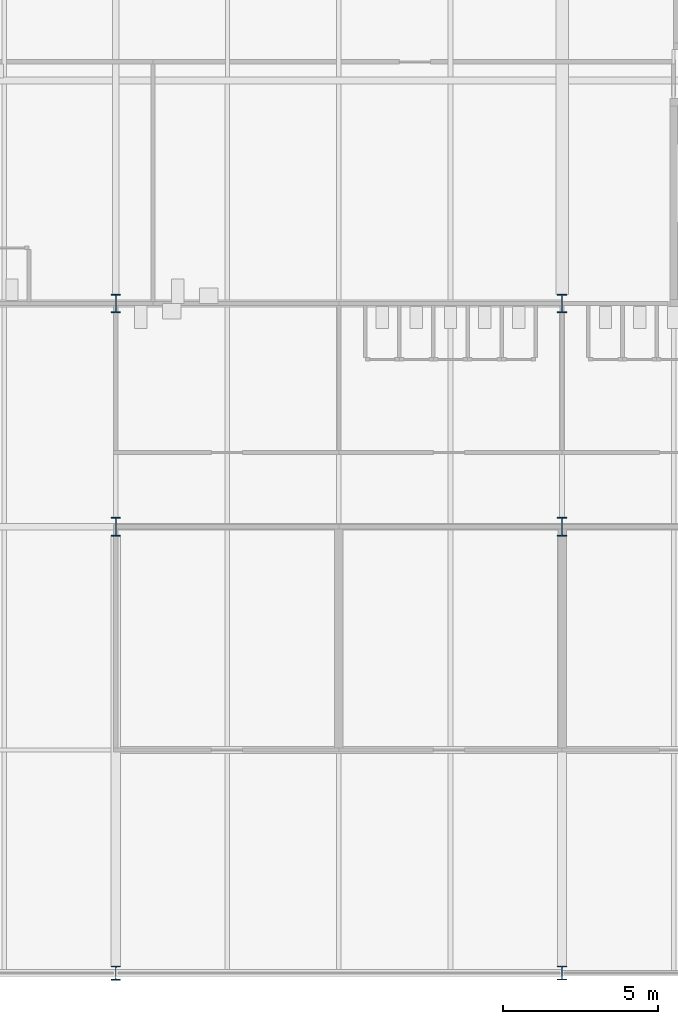
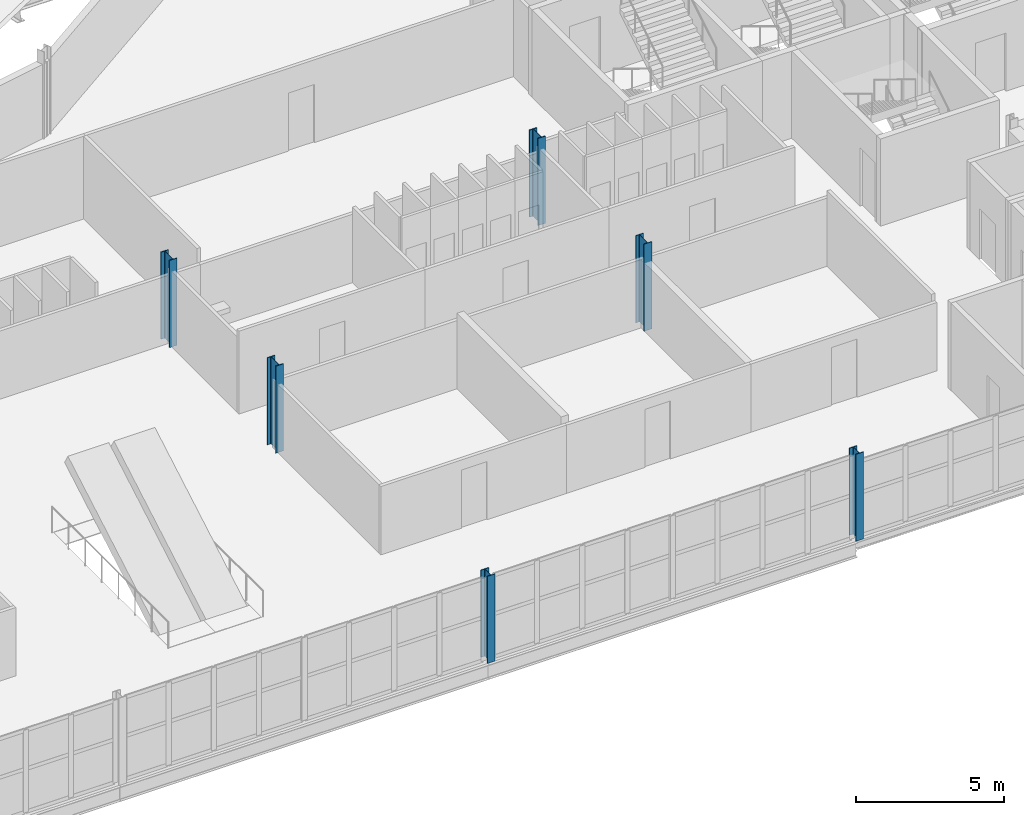
# One storey, part 2 of 124: 6 columns.
"""IFC4 building model written with IfcOpenShell, lengths in metres."""

from ifc_helpers import new_model, si_unit, direction, frame, origin, origin_2d, place, context, subcontext, project, spatial, i_section, extrude, material, material_profile, profile_set, type_object, element, save


model = new_model("IFC4")

# Units and contexts
model_context = context("Model", 3, precision=1e-05, world=origin(), true_north=direction((0.0, 1.0)))
body_context = subcontext(model_context, "Body", "Model", "MODEL_VIEW")
ifc_project = project(units=[si_unit("LENGTHUNIT", "METRE"), si_unit("AREAUNIT", "SQUARE_METRE"), si_unit("VOLUMEUNIT", "CUBIC_METRE"), si_unit("PLANEANGLEUNIT", "RADIAN"), si_unit("MASSUNIT", "GRAM", prefix="KILO")], contexts=[model_context])

# Site, building, storey
site_placement = place(None, origin())
site = spatial("IfcSite", under=ifc_project, at=site_placement, CompositionType="ELEMENT")
building_placement = place(site_placement, origin())
building = spatial("IfcBuilding", under=site, at=building_placement, Name="Kupolbacken Congress Centre", CompositionType="ELEMENT")
storey_placement = place(building_placement, frame((0.0, 0.0, 10.800048828125)))
storey = spatial("IfcBuildingStorey", under=building, at=storey_placement, Name="L03", CompositionType="ELEMENT", Elevation=10.800048828125)

# Columns
ifc_material_1 = material(Name="Steel S355", Category="steel")
ifc_material_profile_1 = material_profile(ifc_material_1, i_section(OverallWidth=0.300048828125, OverallDepth=0.449951171875, WebThickness=0.013916015625, FlangeThickness=0.02587890625, FilletRadius=0.027099609375, at=origin_2d()), Name="HEB 450")
ifc_profile_set_1 = profile_set([ifc_material_profile_1], Name="Steel S355")
column_type_1 = type_object("IfcColumnType", Name="C03 column HEB 450", PredefinedType="COLUMN", material=ifc_profile_set_1)
for number, where, z_axis, x_axis, name in (
    (1, (50.39990234375, 28.800048828125, 0.0), (0.0, 0.0, 1.0), (1.0, 0.0, 0.0), "S/col/C-F-8E/L03"),
    (2, (64.800048828125, 28.800048828125, 0.0), (0.0, 0.0, 1.0), (1.0, 0.0, 0.0), "S/col/C-F-10E/L03"),
):
    element("IfcColumn", number, at=place(storey_placement, frame(where, z_axis=z_axis, x_axis=x_axis)), inside=storey, type_object=column_type_1, Name=name, PredefinedType="COLUMN", context=body_context, shape_type="SweptSolid", body=[
        extrude(i_section(OverallWidth=0.300048828125, OverallDepth=0.449951171875, WebThickness=0.013916015625, FlangeThickness=0.02587890625, FilletRadius=0.027099609375, at=origin_2d()), origin(), (0.0, 0.0, 1.0), 3.599853515625),
    ])
ifc_material_2 = material(Name="Steel S355", Category="steel")
ifc_material_profile_2 = material_profile(ifc_material_2, i_section(OverallWidth=0.300048828125, OverallDepth=0.60009765625, WebThickness=0.015380859375, FlangeThickness=0.030029296875, FilletRadius=0.027099609375, at=origin_2d()), Name="HEB 600")
ifc_profile_set_2 = profile_set([ifc_material_profile_2], Name="Steel S355")
column_type_2 = type_object("IfcColumnType", Name="C05 column HEB 600", PredefinedType="COLUMN", material=ifc_profile_set_2)
for number, where, z_axis, x_axis, name in (
    (3, (50.39990234375, 43.199951171875, 0.0), (0.0, 0.0, 1.0), (1.0, 0.0, 0.0), "S/col/C-F-8G/L03"),
    (4, (50.39990234375, 50.39990234375, 0.0), (0.0, 0.0, 1.0), (1.0, 0.0, 0.0), "S/col/C-F-8H/L03"),
    (5, (64.800048828125, 43.199951171875, 0.0), (0.0, 0.0, 1.0), (1.0, 0.0, 0.0), "S/col/C-F-10G/L03"),
    (6, (64.800048828125, 50.39990234375, 0.0), (0.0, 0.0, 1.0), (1.0, 0.0, 0.0), "S/col/C-F-10H/L03"),
):
    element("IfcColumn", number, at=place(storey_placement, frame(where, z_axis=z_axis, x_axis=x_axis)), inside=storey, type_object=column_type_2, Name=name, PredefinedType="COLUMN", context=body_context, shape_type="SweptSolid", body=[
        extrude(i_section(OverallWidth=0.300048828125, OverallDepth=0.60009765625, WebThickness=0.015380859375, FlangeThickness=0.030029296875, FilletRadius=0.027099609375, at=origin_2d()), origin(), (0.0, 0.0, 1.0), 3.599853515625),
    ])

save(model, "model.ifc")
